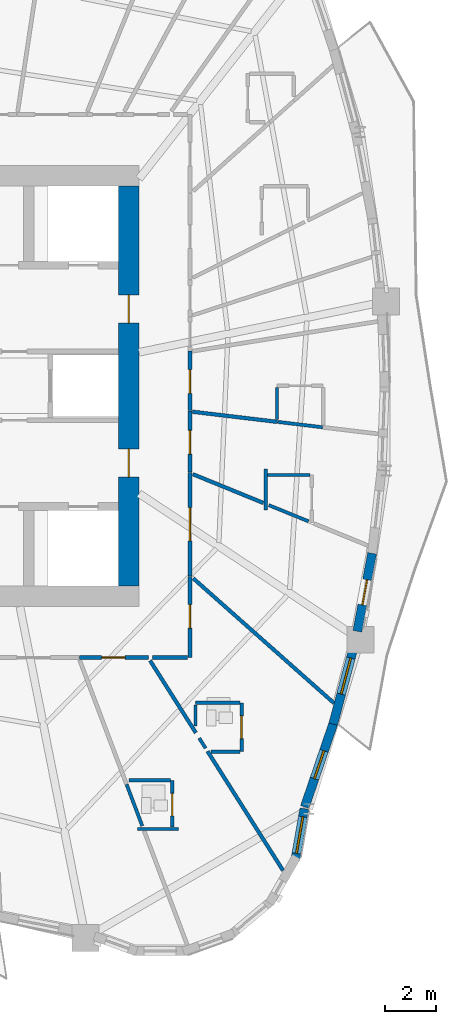
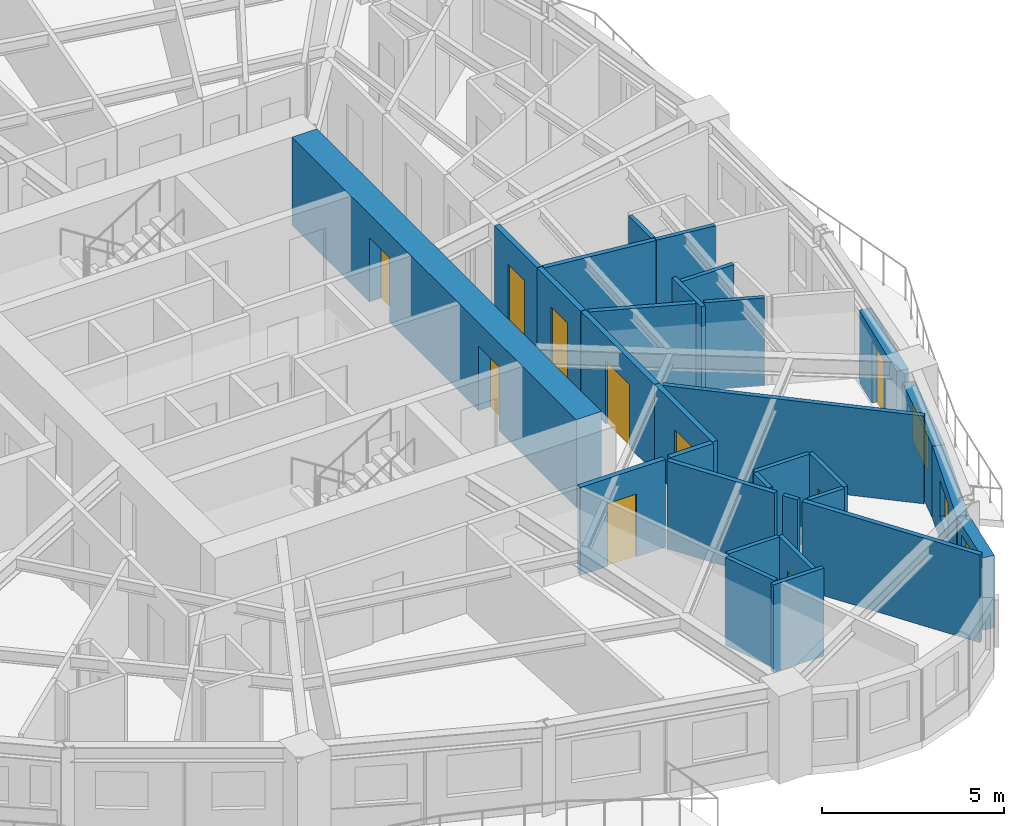
# One storey, part 6 of 14: 30 walls, 10 doors, 3 windows, 13 openings.
"""IFC4 building model written with IfcOpenShell, lengths in metres."""

import ifcopenshell
import ifcopenshell.guid

model = None  # the IFC model being written
_history = None  # IfcOwnerHistory: only IFC2X3 demands one
_inside = {}  # id of a spatial element -> (the spatial element, [elements in it])
_under = {}  # id of a project, library or spatial element -> (it, [spatial elements below it])
_declared = {}  # id of a project -> (the project, [libraries it declares])
_typed = {}  # id of a type object -> (the type object, [elements of that type])
_made_of = {}  # id of a material, layer set ... -> (it, [elements and type objects made of it])


def new_model(schema):
    """Start an empty IFC model of exactly this schema.

    Asked for "IFC4X3", IfcOpenShell would pick the latest addendum, in which some entities
    have other attributes; the version numbers below select the first issue.
    IFC2X3 requires an IfcOwnerHistory on every rooted entity: one is made here for all.
    """
    global model, _history
    if schema == "IFC4X3":
        model = ifcopenshell.file(schema_version=(4, 3, 0, 0))
    else:
        model = ifcopenshell.file(schema=schema)
    _inside.clear()
    _under.clear()
    _declared.clear()
    _typed.clear()
    _made_of.clear()
    _history = None
    if model.schema == "IFC2X3":
        org = make("IfcOrganization", Name="unknown")
        user = make(
            "IfcPersonAndOrganization",
            ThePerson=make("IfcPerson", FamilyName="unknown"),
            TheOrganization=org,
        )
        app = make(
            "IfcApplication",
            ApplicationDeveloper=org,
            Version="unknown",
            ApplicationFullName="unknown",
            ApplicationIdentifier="unknown",
        )
        _history = make(
            "IfcOwnerHistory",
            OwningUser=user,
            OwningApplication=app,
            ChangeAction="ADDED",
            CreationDate=0,
        )
    return model


def make(cls, **values):
    """One entity of the class cls with the attributes given. An attribute that is None is left unset."""
    return model.create_entity(
        cls, **{name: value for name, value in values.items() if value is not None}
    )


def rooted(cls, **values):
    """An entity with a GlobalId (a new one), such as an element, a storey or a relation."""
    return make(cls, GlobalId=ifcopenshell.guid.new(), OwnerHistory=_history, **values)


def si_unit(unit_type, name, prefix=None):
    """IfcSIUnit, for example si_unit("LENGTHUNIT", "METRE", prefix="MILLI")."""
    return make("IfcSIUnit", UnitType=unit_type, Prefix=prefix, Name=name)


def assignment(units):
    """IfcUnitAssignment: the units of a project."""
    return None if units is None else make("IfcUnitAssignment", Units=units)


def point(xyz):
    """IfcCartesianPoint."""
    return None if xyz is None else make("IfcCartesianPoint", Coordinates=xyz)


def direction(xyz):
    """IfcDirection."""
    return None if xyz is None else make("IfcDirection", DirectionRatios=xyz)


def frame(location, z_axis=None, x_axis=None):
    """IfcAxis2Placement3D, a coordinate frame: its origin and axes. An axis left out is left unset."""
    return make(
        "IfcAxis2Placement3D",
        Location=point(location),
        Axis=direction(z_axis),
        RefDirection=direction(x_axis),
    )


def frame_2d(location, x_axis=None):
    """IfcAxis2Placement2D, a coordinate frame in the plane: its origin and x axis."""
    return make(
        "IfcAxis2Placement2D", Location=point(location), RefDirection=direction(x_axis)
    )


def origin():
    """The frame at (0, 0, 0) with its axes left unset."""
    return frame((0.0, 0.0, 0.0))


def place(relative_to, where):
    """IfcLocalPlacement: puts the frame where relative to a parent placement (None: the world)."""
    return make(
        "IfcLocalPlacement", PlacementRelTo=relative_to, RelativePlacement=where
    )


def context(
    kind, dimensions, precision=None, world=None, true_north=None, identifier=None
):
    """IfcGeometricRepresentationContext, for example the 3D "Model" context."""
    return make(
        "IfcGeometricRepresentationContext",
        ContextIdentifier=identifier,
        ContextType=kind,
        CoordinateSpaceDimension=dimensions,
        Precision=precision,
        WorldCoordinateSystem=world,
        TrueNorth=true_north,
    )


def subcontext(parent, identifier, kind, view, scale=None):
    """IfcGeometricRepresentationSubContext, for example "Body" below "Model"."""
    return make(
        "IfcGeometricRepresentationSubContext",
        ContextIdentifier=identifier,
        ContextType=kind,
        ParentContext=parent,
        TargetScale=scale,
        TargetView=view,
    )


def project(units=None, contexts=None):
    """IfcProject with its units and contexts."""
    return rooted(
        "IfcProject",
        Name="project",
        RepresentationContexts=contexts,
        UnitsInContext=assignment(units),
    )


def spatial(cls, under=None, at=None, **own):
    """A site, building, storey or space (cls), placed at a placement, below another one or the project."""
    s = rooted(cls, ObjectPlacement=at, **own)
    if under is not None:
        _under.setdefault(under.id(), (under, []))[1].append(s)
    return s


def profile(cls, at=None, kind="AREA", **sizes):
    """A parametric profile (cls). Its sizes go by their IFC names, for example OverallWidth=200.0."""
    return make(cls, ProfileType=kind, Position=at, **sizes)


def rectangle(**sizes):
    """IfcRectangleProfileDef."""
    return profile("IfcRectangleProfileDef", **sizes)


def extrude(swept, where, along, depth):
    """IfcExtrudedAreaSolid: the profile swept, set in the frame where, extruded along a direction by depth."""
    return make(
        "IfcExtrudedAreaSolid",
        SweptArea=swept,
        Position=where,
        ExtrudedDirection=direction(along),
        Depth=depth,
    )


def shape(context_of_items, identifier, shape_type, items):
    """IfcShapeRepresentation: the items that make up one representation, for example the "Body"."""
    return make(
        "IfcShapeRepresentation",
        ContextOfItems=context_of_items,
        RepresentationIdentifier=identifier,
        RepresentationType=shape_type,
        Items=items,
    )


def source(mapping_origin, context_of_items, identifier, shape_type, items):
    """IfcRepresentationMap: a shape defined once, which mapped items show again and again."""
    return make(
        "IfcRepresentationMap",
        MappingOrigin=mapping_origin,
        MappedRepresentation=shape(context_of_items, identifier, shape_type, items),
    )


def transform(
    local_origin,
    x_axis=None,
    y_axis=None,
    z_axis=None,
    scale=None,
    scale2=None,
    scale3=None,
    uniform=True,
):
    """IfcCartesianTransformationOperator3D, or its non-uniform kind. x_axis, y_axis, z_axis: its Axis1, 2, 3."""
    if uniform:
        return make(
            "IfcCartesianTransformationOperator3D",
            Axis1=direction(x_axis),
            Axis2=direction(y_axis),
            LocalOrigin=point(local_origin),
            Scale=scale,
            Axis3=direction(z_axis),
        )
    return make(
        "IfcCartesianTransformationOperator3DnonUniform",
        Axis1=direction(x_axis),
        Axis2=direction(y_axis),
        LocalOrigin=point(local_origin),
        Scale=scale,
        Axis3=direction(z_axis),
        Scale2=scale2,
        Scale3=scale3,
    )


def mapped(mapping_source, mapping_target):
    """IfcMappedItem: shows the shape of a source again, moved by a transform."""
    return make(
        "IfcMappedItem", MappingSource=mapping_source, MappingTarget=mapping_target
    )


def material(Name=None, Category=None):
    """IfcMaterial."""
    return make("IfcMaterial", Name=Name, Category=Category)


def layer(
    of_material, thickness, ventilated=None, Name=None, Category=None, Priority=None
):
    """IfcMaterialLayer: one layer of a wall or slab, of a material (None: an air gap)."""
    return make(
        "IfcMaterialLayer",
        Material=of_material,
        LayerThickness=thickness,
        IsVentilated=ventilated,
        Name=Name,
        Category=Category,
        Priority=Priority,
    )


def layer_set(layers, Name=None):
    """IfcMaterialLayerSet."""
    return make("IfcMaterialLayerSet", MaterialLayers=layers, LayerSetName=Name)


def made_of(thing, what):
    """Note that an element or type object is made of a material, layer set ...; save() writes the relation."""
    if what is not None:
        _made_of.setdefault(what.id(), (what, []))[1].append(thing)
    return thing


def type_object(cls, material=None, **own):
    """A type object (cls), such as IfcWallType, which elements share."""
    return made_of(rooted(cls, **own), material)


def element(
    cls,
    number,
    at=None,
    inside=None,
    cuts=None,
    type_object=None,
    material=None,
    context=None,
    identifier="Body",
    shape_type=None,
    held_by="IfcProductDefinitionShape",
    body=None,
    shapes=None,
    **own,
):
    """One element of the class cls, such as IfcWall. Its Tag is "e" and its number.

    at: its placement. inside: the storey or other place that contains it. cuts: it is an
    opening in that element (IfcRelVoidsElement). A single representation is given by context,
    identifier, shape_type and body (its items); several are given by shapes. held_by: the class
    of the entity that holds the representations. save() writes the other relations.
    """
    e = rooted(cls, Tag="e%d" % number, ObjectPlacement=at, **own)
    if body is not None:
        shapes = [shape(context, identifier, shape_type, body)]
    if shapes is not None:
        e.Representation = make(held_by, Representations=shapes)
    if inside is not None:
        _inside.setdefault(inside.id(), (inside, []))[1].append(e)
    if cuts is not None:
        rooted(
            "IfcRelVoidsElement", RelatingBuildingElement=cuts, RelatedOpeningElement=e
        )
    if type_object is not None:
        _typed.setdefault(type_object.id(), (type_object, []))[1].append(e)
    return made_of(e, material)


def fill(opening, filler):
    """IfcRelFillsElement: the door or window that sits in an opening."""
    return rooted(
        "IfcRelFillsElement",
        RelatingOpeningElement=opening,
        RelatedBuildingElement=filler,
    )


def aggregate(whole, parts):
    """IfcRelAggregates: a whole, such as a stair, and the parts it consists of."""
    return rooted("IfcRelAggregates", RelatingObject=whole, RelatedObjects=parts)


def save(model, path):
    """Write the relations noted so far, then the file.

    IfcRelAggregates (storeys below a building ...), IfcRelContainedInSpatialStructure (elements
    in a storey), IfcRelDefinesByType, IfcRelAssociatesMaterial and IfcRelDeclares: one each for
    every whole, place, type object, material and project.
    """
    for whole, parts in _under.values():
        aggregate(whole, parts)
    for where, things in _inside.values():
        rooted(
            "IfcRelContainedInSpatialStructure",
            RelatedElements=things,
            RelatingStructure=where,
        )
    for kind, things in _typed.values():
        rooted("IfcRelDefinesByType", RelatedObjects=things, RelatingType=kind)
    for what, things in _made_of.values():
        rooted("IfcRelAssociatesMaterial", RelatedObjects=things, RelatingMaterial=what)
    for by, libraries in _declared.values():
        rooted("IfcRelDeclares", RelatingContext=by, RelatedDefinitions=libraries)
    model.write(path)


model = new_model("IFC4")

# Units and contexts
model_context = context("Model", 3, precision=1e-05, world=origin(), true_north=direction((0.0, 1.0)))
body_context = subcontext(model_context, "Body", "Model", "MODEL_VIEW")
ifc_project = project(units=[si_unit("LENGTHUNIT", "METRE"), si_unit("AREAUNIT", "SQUARE_METRE"), si_unit("VOLUMEUNIT", "CUBIC_METRE"), si_unit("PLANEANGLEUNIT", "RADIAN"), si_unit("MASSUNIT", "GRAM", prefix="KILO")], contexts=[model_context])

# Site, building, storey
site_placement = place(None, origin())
site = spatial("IfcSite", under=ifc_project, at=site_placement, CompositionType="ELEMENT")
building_placement = place(site_placement, origin())
building = spatial("IfcBuilding", under=site, at=building_placement, Name="Qafzar Sky-Pleat Residences", CompositionType="ELEMENT")
storey_placement = place(building_placement, frame((0.0, 0.0, 43.0)))
storey = spatial("IfcBuildingStorey", under=building, at=storey_placement, Name="L12", CompositionType="ELEMENT", Elevation=43.0)

# Wall, opening, door
ifc_material_1 = material(Name="Acoustic gypsum plasterboard partition", Category="gypsum")
ifc_layer_1 = layer(ifc_material_1, 0.159912109375)
ifc_layer_set_1 = layer_set([ifc_layer_1], Name="Acoustic gypsum plasterboard partition")
wall_type_1 = type_object("IfcWallType", Name="PART-COR-160", PredefinedType="PARTITIONING", material=ifc_layer_set_1)
wall_1_placement = place(storey_placement, frame((38.679931640625, 22.623046875, 0.0), z_axis=(0.0, 0.0, 1.0), x_axis=(0.0, -1.0, 0.0)))
wall_1 = element("IfcWall", 1, at=wall_1_placement, inside=storey, type_object=wall_type_1, Name="L12 Partition Wall PART-L12-PW-003", PredefinedType="PARTITIONING", context=body_context, shape_type="SweptSolid", body=[
    extrude(rectangle(XDim=4.026123046875, YDim=0.159912109375, at=frame_2d((2.01318359375, 0.0))), origin(), (0.0, 0.0, 1.0), 2.93994140625),
])
opening_1_placement = place(wall_1_placement, frame((1.361083984375, 0.0, 0.0)))
opening_1 = element("IfcOpeningElement", 2, at=opening_1_placement, cuts=wall_1, Name="Opening ID-05", PredefinedType="OPENING", context=body_context, shape_type="SweptSolid", body=[
    extrude(rectangle(XDim=1.300048828125, YDim=2.10009765625, at=frame_2d((0.64990234375, 1.050048828125))), frame((0.0, 0.08984375, 0.0), z_axis=(0.0, -1.0, 0.0), x_axis=(1.0, 0.0, 0.0)), (0.0, 0.0, 1.0), 0.179931640625),
])
ifc_material_2 = material(Name="Timber-faced fire door", Category="wood")
door_type_1 = type_object("IfcDoorType", Name="DR-LNG-1300", OperationType="DOUBLE_DOOR_SINGLE_SWING", PredefinedType="DOOR", material=ifc_material_2)
shared_shape_1 = source(origin(), body_context, "Body", "SweptSolid", [
    extrude(rectangle(XDim=1.300048828125, YDim=2.10009765625, at=frame_2d((0.64990234375, 1.050048828125))), frame((0.0, 0.02490234375, 0.0), z_axis=(0.0, -1.0, 0.0), x_axis=(1.0, 0.0, 0.0)), (0.0, 0.0, 1.0), 0.050048828125),
])
door_1_placement = place(opening_1_placement, origin())
door_1 = element("IfcDoor", 3, at=door_1_placement, inside=storey, type_object=door_type_1, Name="L12 Communal Kitchen Door", OperationType="DOUBLE_DOOR_SINGLE_SWING", OverallHeight=2.10009765625, OverallWidth=1.300048828125, PredefinedType="DOOR", context=body_context, shape_type="MappedRepresentation", body=[
    mapped(shared_shape_1, transform((0.0, 0.0, 0.0), x_axis=(1.0, 0.0, 0.0), y_axis=(0.0, 1.0, 0.0), z_axis=(0.0, 0.0, 1.0), scale=1.0)),
])
fill(opening_1, door_1)

wall_2_placement = place(storey_placement, frame((38.679931640625, 18.58203125, 0.0), z_axis=(0.0, 0.0, 1.0), x_axis=(0.0, -1.0, 0.0)))
wall_2 = element("IfcWall", 4, at=wall_2_placement, inside=storey, type_object=wall_type_1, Name="L12 Partition Wall PART-L12-PW-010", PredefinedType="PARTITIONING", context=body_context, shape_type="SweptSolid", body=[
    extrude(rectangle(XDim=3.162109375, YDim=0.159912109375, at=frame_2d((1.5810546875, 0.0))), origin(), (0.0, 0.0, 1.0), 2.93994140625),
])
opening_2_placement = place(wall_2_placement, frame((1.103515625, 0.0, 0.0)))
opening_2 = element("IfcOpeningElement", 5, at=opening_2_placement, cuts=wall_2, Name="Opening ID-04", PredefinedType="OPENING", context=body_context, shape_type="SweptSolid", body=[
    extrude(rectangle(XDim=0.919921875, YDim=2.10009765625, at=frame_2d((0.4599609375, 1.050048828125))), frame((0.0, 0.08984375, 0.0), z_axis=(0.0, -1.0, 0.0), x_axis=(1.0, 0.0, 0.0)), (0.0, 0.0, 1.0), 0.179931640625),
])
door_type_2 = type_object("IfcDoorType", Name="DR-BED-920", OperationType="NOTDEFINED", PredefinedType="DOOR", material=ifc_material_2)
shared_shape_2 = source(origin(), body_context, "Body", "SweptSolid", [
    extrude(rectangle(XDim=0.919921875, YDim=2.10009765625, at=frame_2d((0.4599609375, 1.050048828125))), frame((0.0, 0.02490234375, 0.0), z_axis=(0.0, -1.0, 0.0), x_axis=(1.0, 0.0, 0.0)), (0.0, 0.0, 1.0), 0.050048828125),
])
door_2_placement = place(opening_2_placement, origin())
door_2 = element("IfcDoor", 6, at=door_2_placement, inside=storey, type_object=door_type_2, Name="L12 Co-Living Bedroom 4 Door", OperationType="SINGLE_SWING_LEFT", OverallHeight=2.10009765625, OverallWidth=0.919921875, PredefinedType="DOOR", context=body_context, shape_type="MappedRepresentation", body=[
    mapped(shared_shape_2, transform((0.0, 0.0, 0.0), x_axis=(1.0, 0.0, 0.0), y_axis=(0.0, 1.0, 0.0), z_axis=(0.0, 0.0, 1.0), scale=1.0)),
])
fill(opening_2, door_2)

wall_3_placement = place(storey_placement, frame((37.069091796875, 15.419921875, 0.0), z_axis=(0.0, 0.0, 1.0), x_axis=(-1.0, 0.0, 0.0)))
wall_3 = element("IfcWall", 7, at=wall_3_placement, inside=storey, type_object=wall_type_1, Name="L12 Partition Wall PART-L12-PW-014", PredefinedType="PARTITIONING", context=body_context, shape_type="SweptSolid", body=[
    extrude(rectangle(XDim=2.693115234375, YDim=0.159912109375, at=frame_2d((1.3466796875, 0.0))), origin(), (0.0, 0.0, 1.0), 2.93994140625),
])
opening_3_placement = place(wall_3_placement, frame((0.910888671875, 0.0, 0.0)))
opening_3 = element("IfcOpeningElement", 8, at=opening_3_placement, cuts=wall_3, Name="Opening ID-04", PredefinedType="OPENING", context=body_context, shape_type="SweptSolid", body=[
    extrude(rectangle(XDim=0.919921875, YDim=2.10009765625, at=frame_2d((0.4599609375, 1.050048828125))), frame((0.0, 0.08984375, 0.0), z_axis=(0.0, -1.0, 0.0), x_axis=(1.0, 0.0, 0.0)), (0.0, 0.0, 1.0), 0.179931640625),
])
door_3_placement = place(opening_3_placement, origin())
door_3 = element("IfcDoor", 9, at=door_3_placement, inside=storey, type_object=door_type_2, Name="L12 Co-Living Bedroom 3 Door", OperationType="SINGLE_SWING_RIGHT", OverallHeight=2.10009765625, OverallWidth=0.919921875, PredefinedType="DOOR", context=body_context, shape_type="MappedRepresentation", body=[
    mapped(shared_shape_2, transform((0.0, 0.0, 0.0), x_axis=(1.0, 0.0, 0.0), y_axis=(0.0, 1.0, 0.0), z_axis=(0.0, 0.0, 1.0), scale=1.0)),
])
fill(opening_3, door_3)

wall_4_placement = place(storey_placement, frame((38.679931640625, 25.02099609375, 0.0), z_axis=(0.0, 0.0, 1.0), x_axis=(0.0, -1.0, 0.0)))
wall_4 = element("IfcWall", 10, at=wall_4_placement, inside=storey, type_object=wall_type_1, Name="L12 Partition Wall PART-L12-PW-016", PredefinedType="PARTITIONING", context=body_context, shape_type="SweptSolid", body=[
    extrude(rectangle(XDim=2.383056640625, YDim=0.159912109375, at=frame_2d((1.19140625, 0.0))), origin(), (0.0, 0.0, 1.0), 2.93994140625),
])
opening_4_placement = place(wall_4_placement, frame((0.75439453125, 0.0, 0.0)))
opening_4 = element("IfcOpeningElement", 11, at=opening_4_placement, cuts=wall_4, Name="Opening ID-04", PredefinedType="OPENING", context=body_context, shape_type="SweptSolid", body=[
    extrude(rectangle(XDim=0.919921875, YDim=2.10009765625, at=frame_2d((0.4599609375, 1.050048828125))), frame((0.0, 0.08984375, 0.0), z_axis=(0.0, -1.0, 0.0), x_axis=(1.0, 0.0, 0.0)), (0.0, 0.0, 1.0), 0.179931640625),
])
door_4_placement = place(opening_4_placement, origin())
door_4 = element("IfcDoor", 12, at=door_4_placement, inside=storey, type_object=door_type_2, Name="L12 Co-Living Bedroom 5 Door", OperationType="SINGLE_SWING_RIGHT", OverallHeight=2.10009765625, OverallWidth=0.919921875, PredefinedType="DOOR", context=body_context, shape_type="MappedRepresentation", body=[
    mapped(shared_shape_2, transform((0.0, 0.0, 0.0), x_axis=(1.0, 0.0, 0.0), y_axis=(0.0, 1.0, 0.0), z_axis=(0.0, 0.0, 1.0), scale=1.0)),
])
fill(opening_4, door_4)

wall_5_placement = place(storey_placement, frame((38.679931640625, 27.35302734375, 0.0), z_axis=(0.0, 0.0, 1.0), x_axis=(0.0, -1.0, 0.0)))
wall_5 = element("IfcWall", 13, at=wall_5_placement, inside=storey, type_object=wall_type_1, Name="L12 Partition Wall PART-L12-PW-017", PredefinedType="PARTITIONING", context=body_context, shape_type="SweptSolid", body=[
    extrude(rectangle(XDim=2.317138671875, YDim=0.159912109375, at=frame_2d((1.15869140625, 0.0))), origin(), (0.0, 0.0, 1.0), 2.93994140625),
])
opening_5_placement = place(wall_5_placement, frame((0.721435546875, 0.0, 0.0)))
opening_5 = element("IfcOpeningElement", 14, at=opening_5_placement, cuts=wall_5, Name="Opening ID-04", PredefinedType="OPENING", context=body_context, shape_type="SweptSolid", body=[
    extrude(rectangle(XDim=0.919921875, YDim=2.10009765625, at=frame_2d((0.4599609375, 1.050048828125))), frame((0.0, 0.08984375, 0.0), z_axis=(0.0, -1.0, 0.0), x_axis=(1.0, 0.0, 0.0)), (0.0, 0.0, 1.0), 0.179931640625),
])
door_5_placement = place(opening_5_placement, origin())
door_5 = element("IfcDoor", 15, at=door_5_placement, inside=storey, type_object=door_type_2, Name="L12 Co-Living Bedroom 6 Door", OperationType="SINGLE_SWING_LEFT", OverallHeight=2.10009765625, OverallWidth=0.919921875, PredefinedType="DOOR", context=body_context, shape_type="MappedRepresentation", body=[
    mapped(shared_shape_2, transform((0.0, 0.0, 0.0), x_axis=(1.0, 0.0, 0.0), y_axis=(0.0, 1.0, 0.0), z_axis=(0.0, 0.0, 1.0), scale=1.0)),
])
fill(opening_5, door_5)

# Walls
wall_6_placement = place(storey_placement, frame((37.228515625, 15.419921875, 0.0), z_axis=(0.0, 0.0, 1.0), x_axis=(1.0, 0.0, 0.0)))
element("IfcWall", 16, at=wall_6_placement, inside=storey, type_object=wall_type_1, Name="L12 Partition Wall PART-L12-PW-087", PredefinedType="PARTITIONING", context=body_context, shape_type="SweptSolid", body=[
    extrude(rectangle(XDim=1.363525390625, YDim=0.159912109375, at=frame_2d((0.681640625, 0.0))), origin(), (0.0, 0.0, 1.0), 2.93994140625),
])
ifc_layer_2 = layer(ifc_material_1, 0.14501953125)
ifc_layer_set_2 = layer_set([ifc_layer_2], Name="Acoustic gypsum plasterboard partition")
wall_type_2 = type_object("IfcWallType", Name="PART-UNIT-145", PredefinedType="PARTITIONING", material=ifc_layer_set_2)
wall_7_placement = place(storey_placement, frame((38.814208984375, 18.498291015625, 0.0), z_axis=(0.0, 0.0, 1.0), x_axis=(0.748346939228, -0.663307514316, 0.0)))
element("IfcWall", 17, at=wall_7_placement, inside=storey, type_object=wall_type_2, Name="L12 Partition Wall PART-L12-PW-046", PredefinedType="PARTITIONING", context=body_context, shape_type="SweptSolid", body=[
    extrude(rectangle(XDim=7.32080078125, YDim=0.14501953125, at=frame_2d((3.660400390625, 0.0))), origin(), (0.0, 0.0, 1.0), 2.93994140625),
])
wall_8_placement = place(storey_placement, frame((39.367919921875, 11.762939453125, 0.0), z_axis=(0.0, 0.0, 1.0), x_axis=(0.535087981742, -0.844796337465, 0.0)))
element("IfcWall", 18, at=wall_8_placement, inside=storey, type_object=wall_type_2, Name="L12 Partition Wall PART-L12-PW-049", PredefinedType="PARTITIONING", context=body_context, shape_type="SweptSolid", body=[
    extrude(rectangle(XDim=5.500732421875, YDim=0.14501953125, at=frame_2d((2.75048828125, 0.0))), origin(), (0.0, 0.0, 1.0), 2.93994140625),
])
wall_9_placement = place(storey_placement, frame((37.130615234375, 15.29443359375, 0.0), z_axis=(0.0, 0.0, 1.0), x_axis=(0.535237043706, -0.844701904251, 0.0)))
element("IfcWall", 19, at=wall_9_placement, inside=storey, type_object=wall_type_2, Name="L12 Partition Wall PART-L12-PW-056", PredefinedType="PARTITIONING", context=body_context, shape_type="SweptSolid", body=[
    extrude(rectangle(XDim=3.328369140625, YDim=0.14501953125, at=frame_2d((1.6640625, 0.0))), origin(), (0.0, 0.0, 1.0), 2.93994140625),
])
wall_10_placement = place(storey_placement, frame((38.776611328125, 24.994384765625, 0.0), z_axis=(0.0, 0.0, 1.0), x_axis=(0.992964132073, -0.1184155075, 0.0)))
element("IfcWall", 20, at=wall_10_placement, inside=storey, type_object=wall_type_2, Name="L12 Partition Wall PART-L12-PW-057", PredefinedType="PARTITIONING", context=body_context, shape_type="SweptSolid", body=[
    extrude(rectangle(XDim=3.337890625, YDim=0.14501953125, at=frame_2d((1.6689453125, 0.0))), origin(), (0.0, 0.0, 1.0), 2.93994140625),
])
wall_11_placement = place(storey_placement, frame((38.794921875, 22.560302734375, 0.0), z_axis=(0.0, 0.0, 1.0), x_axis=(0.926055147025, -0.377388214799, 0.0)))
element("IfcWall", 21, at=wall_11_placement, inside=storey, type_object=wall_type_2, Name="L12 Partition Wall PART-L12-PW-060", PredefinedType="PARTITIONING", context=body_context, shape_type="SweptSolid", body=[
    extrude(rectangle(XDim=2.971923828125, YDim=0.14501953125, at=frame_2d((1.48583984375, 0.0))), origin(), (0.0, 0.0, 1.0), 2.93994140625),
])

# Wall, opening, door
ifc_material_3 = material(Name="Moisture-resistant gypsum partition", Category="gypsum")
ifc_layer_3 = layer(ifc_material_3, 0.1298828125)
ifc_layer_set_3 = layer_set([ifc_layer_3], Name="Moisture-resistant gypsum partition")
wall_type_3 = type_object("IfcWallType", Name="PART-WET-130", PredefinedType="PARTITIONING", material=ifc_layer_set_3)
wall_12_placement = place(storey_placement, frame((37.992919921875, 8.802978515625, 0.0), z_axis=(0.0, 0.0, 1.0), x_axis=(0.0, 1.0, 0.0)))
wall_12 = element("IfcWall", 22, at=wall_12_placement, inside=storey, type_object=wall_type_3, Name="L12 Partition Wall PART-L12-PW-022", PredefinedType="PARTITIONING", context=body_context, shape_type="SweptSolid", body=[
    extrude(rectangle(XDim=1.826904296875, YDim=0.1298828125, at=frame_2d((0.91357421875, 0.0))), origin(), (0.0, 0.0, 1.0), 2.93994140625),
])
opening_6_placement = place(wall_12_placement, frame((0.43701171875, 0.0, 0.0)))
opening_6 = element("IfcOpeningElement", 23, at=opening_6_placement, cuts=wall_12, Name="Opening ID-07", PredefinedType="OPENING", context=body_context, shape_type="SweptSolid", body=[
    extrude(rectangle(XDim=0.8798828125, YDim=2.050048828125, at=frame_2d((0.43994140625, 1.02490234375))), frame((0.0, 0.074951171875, 0.0), z_axis=(0.0, -1.0, 0.0), x_axis=(1.0, 0.0, 0.0)), (0.0, 0.0, 1.0), 0.14990234375),
])
door_type_3 = type_object("IfcDoorType", Name="DR-WET-880", OperationType="NOTDEFINED", PredefinedType="DOOR", material=ifc_material_2)
shared_shape_3 = source(origin(), body_context, "Body", "SweptSolid", [
    extrude(rectangle(XDim=0.8798828125, YDim=2.050048828125, at=frame_2d((0.43994140625, 1.02490234375))), frame((0.0, 0.02490234375, 0.0), z_axis=(0.0, -1.0, 0.0), x_axis=(1.0, 0.0, 0.0)), (0.0, 0.0, 1.0), 0.050048828125),
])
door_6_placement = place(opening_6_placement, origin())
door_6 = element("IfcDoor", 24, at=door_6_placement, inside=storey, type_object=door_type_3, Name="L12 En-suite Bathroom 3 Door", OperationType="SINGLE_SWING_RIGHT", OverallHeight=2.050048828125, OverallWidth=0.8798828125, PredefinedType="DOOR", context=body_context, shape_type="MappedRepresentation", body=[
    mapped(shared_shape_3, transform((0.0, 0.0, 0.0), x_axis=(1.0, 0.0, 0.0), y_axis=(0.0, 1.0, 0.0), z_axis=(0.0, 0.0, 1.0), scale=1.0)),
])
fill(opening_6, door_6)

wall_13_placement = place(storey_placement, frame((40.697021484375, 11.748046875, 0.0), z_axis=(0.0, 0.0, 1.0), x_axis=(0.0, 1.0, 0.0)))
wall_13 = element("IfcWall", 25, at=wall_13_placement, inside=storey, type_object=wall_type_3, Name="L12 Partition Wall PART-L12-PW-023", PredefinedType="PARTITIONING", context=body_context, shape_type="SweptSolid", body=[
    extrude(rectangle(XDim=1.89990234375, YDim=0.1298828125, at=frame_2d((0.949951171875, 0.0))), origin(), (0.0, 0.0, 1.0), 2.93994140625),
])
opening_7_placement = place(wall_13_placement, frame((0.510009765625, 0.0, 0.0)))
opening_7 = element("IfcOpeningElement", 26, at=opening_7_placement, cuts=wall_13, Name="Opening ID-07", PredefinedType="OPENING", context=body_context, shape_type="SweptSolid", body=[
    extrude(rectangle(XDim=0.8798828125, YDim=2.050048828125, at=frame_2d((0.43994140625, 1.02490234375))), frame((0.0, 0.074951171875, 0.0), z_axis=(0.0, -1.0, 0.0), x_axis=(1.0, 0.0, 0.0)), (0.0, 0.0, 1.0), 0.14990234375),
])
door_7_placement = place(opening_7_placement, origin())
door_7 = element("IfcDoor", 27, at=door_7_placement, inside=storey, type_object=door_type_3, Name="L12 En-suite Bathroom 4 Door", OperationType="SINGLE_SWING_LEFT", OverallHeight=2.050048828125, OverallWidth=0.8798828125, PredefinedType="DOOR", context=body_context, shape_type="MappedRepresentation", body=[
    mapped(shared_shape_3, transform((0.0, 0.0, 0.0), x_axis=(1.0, 0.0, 0.0), y_axis=(0.0, 1.0, 0.0), z_axis=(0.0, 0.0, 1.0), scale=1.0)),
])
fill(opening_7, door_7)

# Walls
wall_14_placement = place(storey_placement, frame((41.7578125, 21.352783203125, 0.0), z_axis=(0.0, 0.0, 1.0), x_axis=(0.926203809775, -0.377023212492, 0.0)))
element("IfcWall", 28, at=wall_14_placement, inside=storey, type_object=wall_type_3, Name="L12 Partition Wall PART-L12-PW-070", PredefinedType="PARTITIONING", context=body_context, shape_type="SweptSolid", body=[
    extrude(rectangle(XDim=1.671875, YDim=0.1298828125, at=frame_2d((0.8359375, 0.0))), origin(), (0.0, 0.0, 1.0), 2.93994140625),
])
wall_15_placement = place(storey_placement, frame((36.21337890625, 10.472900390625, 0.0), z_axis=(0.0, 0.0, 1.0), x_axis=(0.353194751426, -0.935549820996, 0.0)))
element("IfcWall", 29, at=wall_15_placement, inside=storey, type_object=wall_type_3, Name="L12 Partition Wall PART-L12-PW-072", PredefinedType="PARTITIONING", context=body_context, shape_type="SweptSolid", body=[
    extrude(rectangle(XDim=1.730224609375, YDim=0.1298828125, at=frame_2d((0.865234375, 0.0))), origin(), (0.0, 0.0, 1.0), 2.93994140625),
])
wall_16_placement = place(storey_placement, frame((36.302978515625, 10.6298828125, 0.0), z_axis=(0.0, 0.0, 1.0), x_axis=(1.0, 0.0, 0.0)))
element("IfcWall", 30, at=wall_16_placement, inside=storey, type_object=wall_type_3, Name="L12 Partition Wall PART-L12-PW-073", PredefinedType="PARTITIONING", context=body_context, shape_type="SweptSolid", body=[
    extrude(rectangle(XDim=1.616943359375, YDim=0.1298828125, at=frame_2d((0.80859375, 0.0))), origin(), (0.0, 0.0, 1.0), 2.93994140625),
])
wall_17_placement = place(storey_placement, frame((38.89697265625, 13.64794921875, 0.0), z_axis=(0.0, 0.0, 1.0), x_axis=(1.0, 0.0, 0.0)))
element("IfcWall", 31, at=wall_17_placement, inside=storey, type_object=wall_type_3, Name="L12 Partition Wall PART-L12-PW-074", PredefinedType="PARTITIONING", context=body_context, shape_type="SweptSolid", body=[
    extrude(rectangle(XDim=1.72705078125, YDim=0.1298828125, at=frame_2d((0.863525390625, 0.0))), origin(), (0.0, 0.0, 1.0), 2.93994140625),
])
wall_18_placement = place(storey_placement, frame((41.705078125, 22.530029296875, 0.0), z_axis=(0.0, 0.0, 1.0), x_axis=(1.0, 0.0, 0.0)))
element("IfcWall", 32, at=wall_18_placement, inside=storey, type_object=wall_type_3, Name="L12 Partition Wall PART-L12-PW-075", PredefinedType="PARTITIONING", context=body_context, shape_type="SweptSolid", body=[
    extrude(rectangle(XDim=1.65380859375, YDim=0.1298828125, at=frame_2d((0.826904296875, 0.0))), origin(), (0.0, 0.0, 1.0), 2.93994140625),
])
wall_19_placement = place(storey_placement, frame((42.10595703125, 24.59765625, 0.0), z_axis=(0.0, 0.0, 1.0), x_axis=(0.992915674768, -0.118821137848, 0.0)))
element("IfcWall", 33, at=wall_19_placement, inside=storey, type_object=wall_type_3, Name="L12 Partition Wall PART-L12-PW-082", PredefinedType="PARTITIONING", context=body_context, shape_type="SweptSolid", body=[
    extrude(rectangle(XDim=1.752685546875, YDim=0.1298828125, at=frame_2d((0.87646484375, 0.0))), origin(), (0.0, 0.0, 1.0), 2.93994140625),
])
wall_20_placement = place(storey_placement, frame((42.075927734375, 24.689697265625, 0.0), z_axis=(0.0, 0.0, 1.0), x_axis=(0.0, 1.0, 0.0)))
element("IfcWall", 34, at=wall_20_placement, inside=storey, type_object=wall_type_3, Name="L12 Partition Wall PART-L12-PW-090", PredefinedType="PARTITIONING", context=body_context, shape_type="SweptSolid", body=[
    extrude(rectangle(XDim=1.245361328125, YDim=0.1298828125, at=frame_2d((0.62255859375, 0.0))), origin(), (0.0, 0.0, 1.0), 2.93994140625),
])
wall_21_placement = place(storey_placement, frame((39.511962890625, 11.748046875, 0.0), z_axis=(0.0, 0.0, 1.0), x_axis=(1.0, 0.0, 0.0)))
element("IfcWall", 35, at=wall_21_placement, inside=storey, type_object=wall_type_3, Name="L12 Partition Wall PART-L12-PW-093", PredefinedType="PARTITIONING", context=body_context, shape_type="SweptSolid", body=[
    extrude(rectangle(XDim=1.112060546875, YDim=0.1298828125, at=frame_2d((0.55615234375, 0.0))), origin(), (0.0, 0.0, 1.0), 2.93994140625),
])
wall_22_placement = place(storey_placement, frame((38.89697265625, 12.74609375, 0.0), z_axis=(0.0, 0.0, 1.0), x_axis=(0.0, 1.0, 0.0)))
element("IfcWall", 36, at=wall_22_placement, inside=storey, type_object=wall_type_3, Name="L12 Partition Wall PART-L12-PW-098", PredefinedType="PARTITIONING", context=body_context, shape_type="SweptSolid", body=[
    extrude(rectangle(XDim=0.828857421875, YDim=0.1298828125, at=frame_2d((0.41455078125, 0.0))), origin(), (0.0, 0.0, 1.0), 2.93994140625),
])
wall_23_placement = place(storey_placement, frame((41.632080078125, 21.1640625, 0.0), z_axis=(0.0, 0.0, 1.0), x_axis=(0.0, 1.0, 0.0)))
element("IfcWall", 37, at=wall_23_placement, inside=storey, type_object=wall_type_3, Name="L12 Partition Wall PART-L12-PW-099", PredefinedType="PARTITIONING", context=body_context, shape_type="SweptSolid", body=[
    extrude(rectangle(XDim=1.60595703125, YDim=0.1298828125, at=frame_2d((0.802978515625, 0.0))), origin(), (0.0, 0.0, 1.0), 2.93994140625),
])
wall_24_placement = place(storey_placement, frame((36.632080078125, 8.72998046875, 0.0), z_axis=(0.0, 0.0, 1.0), x_axis=(1.0, 0.0, 0.0)))
element("IfcWall", 38, at=wall_24_placement, inside=storey, type_object=wall_type_3, Name="L12 Partition Wall PART-L12-PW-100", PredefinedType="PARTITIONING", context=body_context, shape_type="SweptSolid", body=[
    extrude(rectangle(XDim=1.600830078125, YDim=0.1298828125, at=frame_2d((0.80029296875, 0.0))), origin(), (0.0, 0.0, 1.0), 2.93994140625),
])
wall_25_placement = place(storey_placement, frame((39.044189453125, 12.274169921875, 0.0), z_axis=(0.0, 0.0, 1.0), x_axis=(0.535002019117, -0.844850779452, 0.0)))
element("IfcWall", 39, at=wall_25_placement, inside=storey, type_object=wall_type_3, Name="L12 Partition Wall PART-L12-PW-104", PredefinedType="PARTITIONING", context=body_context, shape_type="SweptSolid", body=[
    extrude(rectangle(XDim=0.464111328125, YDim=0.1298828125, at=frame_2d((0.23193359375, 0.0))), origin(), (0.0, 0.0, 1.0), 2.93994140625),
])

# Wall, opening, window
ifc_material_4 = material(Name="Precast concrete C40/50 with honed Riyadh limestone", Category="concrete")
ifc_layer_4 = layer(ifc_material_4, 0.35009765625)
ifc_layer_set_4 = layer_set([ifc_layer_4], Name="Precast concrete C40/50 with honed Riyadh limestone")
wall_type_4 = type_object("IfcWallType", Name="WALL-EXT-350", PredefinedType="SOLIDWALL", material=ifc_layer_set_4)
wall_26_placement = place(storey_placement, frame((42.788818359375, 7.5244140625, 0.0), z_axis=(0.0, 0.0, 1.0), x_axis=(0.173586593252, 0.984818610021, 0.0)))
wall_26 = element("IfcWall", 40, at=wall_26_placement, inside=storey, type_object=wall_type_4, Name="L12 Limestone Facade Wall 22", PredefinedType="SOLIDWALL", context=body_context, shape_type="SweptSolid", body=[
    extrude(rectangle(XDim=2.0322265625, YDim=0.35009765625, at=frame_2d((1.01611328125, 0.0))), origin(), (0.0, 0.0, 1.0), 2.419921875),
])
opening_8_placement = place(wall_26_placement, frame((0.26123046875, 0.0, 0.820068359375)))
opening_8 = element("IfcOpeningElement", 41, at=opening_8_placement, cuts=wall_26, Name="Opening WN-15", PredefinedType="OPENING", context=body_context, shape_type="SweptSolid", body=[
    extrude(rectangle(XDim=1.449951171875, YDim=1.25, at=frame_2d((0.72509765625, 0.625))), frame((0.0, 0.18505859375, 0.0), z_axis=(0.0, -1.0, 0.0), x_axis=(1.0, 0.0, 0.0)), (0.0, 0.0, 1.0), 0.3701171875),
])
ifc_material_5 = material(Name="Solar-control low-E glass in bronze aluminium frame", Category="glass")
window_type_1 = type_object("IfcWindowType", Name="WIN-15", PartitioningType="SINGLE_PANEL", PredefinedType="WINDOW", material=ifc_material_5)
shared_shape_4 = source(origin(), body_context, "Body", "SweptSolid", [
    extrude(rectangle(XDim=1.449951171875, YDim=1.25, at=frame_2d((0.72509765625, 0.625))), frame((0.0, 0.030029296875, 0.0), z_axis=(0.0, -1.0, 0.0), x_axis=(1.0, 0.0, 0.0)), (0.0, 0.0, 1.0), 0.06005859375),
])
window_1_placement = place(opening_8_placement, origin())
window_1 = element("IfcWindow", 42, at=window_1_placement, inside=storey, type_object=window_type_1, Name="L12 Punched Facade Window 22", OverallHeight=1.25, OverallWidth=1.449951171875, PartitioningType="SINGLE_PANEL", PredefinedType="WINDOW", context=body_context, shape_type="MappedRepresentation", body=[
    mapped(shared_shape_4, transform((0.0, 0.0, 0.0), x_axis=(1.0, 0.0, 0.0), y_axis=(0.0, 1.0, 0.0), z_axis=(0.0, 0.0, 1.0), scale=1.0)),
])
fill(opening_8, window_1)

wall_27_placement = place(storey_placement, frame((43.158447265625, 9.5908203125, 0.0), z_axis=(0.0, 0.0, 1.0), x_axis=(0.323579292047, 0.946201057788, 0.0)))
wall_27 = element("IfcWall", 43, at=wall_27_placement, inside=storey, type_object=wall_type_4, Name="L12 Limestone Facade Wall 23", PredefinedType="SOLIDWALL", context=body_context, shape_type="SweptSolid", body=[
    extrude(rectangle(XDim=3.50244140625, YDim=0.35009765625, at=frame_2d((1.751220703125, 0.0))), origin(), (0.0, 0.0, 1.0), 2.419921875),
])
opening_9_placement = place(wall_27_placement, frame((1.166259765625, 0.0, 0.820068359375)))
opening_9 = element("IfcOpeningElement", 44, at=opening_9_placement, cuts=wall_27, Name="Opening WN-16", PredefinedType="OPENING", context=body_context, shape_type="SweptSolid", body=[
    extrude(rectangle(XDim=1.14990234375, YDim=1.199951171875, at=frame_2d((0.574951171875, 0.60009765625))), frame((0.0, 0.18505859375, 0.0), z_axis=(0.0, -1.0, 0.0), x_axis=(1.0, 0.0, 0.0)), (0.0, 0.0, 1.0), 0.3701171875),
])
window_type_2 = type_object("IfcWindowType", Name="WIN-16", PartitioningType="SINGLE_PANEL", PredefinedType="WINDOW", material=ifc_material_5)
shared_shape_5 = source(origin(), body_context, "Body", "SweptSolid", [
    extrude(rectangle(XDim=1.14990234375, YDim=1.199951171875, at=frame_2d((0.574951171875, 0.60009765625))), frame((0.0, 0.030029296875, 0.0), z_axis=(0.0, -1.0, 0.0), x_axis=(1.0, 0.0, 0.0)), (0.0, 0.0, 1.0), 0.06005859375),
])
window_2_placement = place(opening_9_placement, origin())
window_2 = element("IfcWindow", 45, at=window_2_placement, inside=storey, type_object=window_type_2, Name="L12 Punched Facade Window 23", OverallHeight=1.199951171875, OverallWidth=1.14990234375, PartitioningType="SINGLE_PANEL", PredefinedType="WINDOW", context=body_context, shape_type="MappedRepresentation", body=[
    mapped(shared_shape_5, transform((0.0, 0.0, 0.0), x_axis=(1.0, 0.0, 0.0), y_axis=(0.0, 1.0, 0.0), z_axis=(0.0, 0.0, 1.0), scale=1.0)),
])
fill(opening_9, window_2)

wall_28_placement = place(storey_placement, frame((44.26611328125, 12.820556640625, 0.0), z_axis=(0.0, 0.0, 1.0), x_axis=(0.257117431061, 0.966380166728, 0.0)))
wall_28 = element("IfcWall", 46, at=wall_28_placement, inside=storey, type_object=wall_type_4, Name="L12 Limestone Facade Wall 24", PredefinedType="SOLIDWALL", context=body_context, shape_type="SweptSolid", body=[
    extrude(rectangle(XDim=3.149658203125, YDim=0.35009765625, at=frame_2d((1.57470703125, 0.0))), origin(), (0.0, 0.0, 1.0), 2.419921875),
])
opening_10_placement = place(wall_28_placement, frame((1.210205078125, 0.0, 0.820068359375)))
opening_10 = element("IfcOpeningElement", 47, at=opening_10_placement, cuts=wall_28, Name="Opening WN-15", PredefinedType="OPENING", context=body_context, shape_type="SweptSolid", body=[
    extrude(rectangle(XDim=1.449951171875, YDim=1.25, at=frame_2d((0.72509765625, 0.625))), frame((0.0, 0.18505859375, 0.0), z_axis=(0.0, -1.0, 0.0), x_axis=(1.0, 0.0, 0.0)), (0.0, 0.0, 1.0), 0.3701171875),
])
window_3_placement = place(opening_10_placement, origin())
window_3 = element("IfcWindow", 48, at=window_3_placement, inside=storey, type_object=window_type_1, Name="L12 Punched Facade Window 24-2", OverallHeight=1.25, OverallWidth=1.449951171875, PartitioningType="SINGLE_PANEL", PredefinedType="WINDOW", context=body_context, shape_type="MappedRepresentation", body=[
    mapped(shared_shape_4, transform((0.0, 0.0, 0.0), x_axis=(1.0, 0.0, 0.0), y_axis=(0.0, 1.0, 0.0), z_axis=(0.0, 0.0, 1.0), scale=1.0)),
])
fill(opening_10, window_3)

# Wall, opening, door
wall_29_placement = place(storey_placement, frame((45.206298828125, 16.4365234375, 0.0), z_axis=(0.0, 0.0, 1.0), x_axis=(0.186622565297, 0.982431686237, 0.0)))
wall_29 = element("IfcWall", 49, at=wall_29_placement, inside=storey, type_object=wall_type_4, Name="L12 Limestone Facade Wall 25", PredefinedType="SOLIDWALL", context=body_context, shape_type="SweptSolid", body=[
    extrude(rectangle(XDim=3.093994140625, YDim=0.35009765625, at=frame_2d((1.546875, 0.0))), origin(), (0.0, 0.0, 1.0), 2.419921875),
])
opening_11_placement = place(wall_29_placement, frame((1.047119140625, 0.0, 0.0)))
opening_11 = element("IfcOpeningElement", 50, at=opening_11_placement, cuts=wall_29, Name="Opening ED-05", PredefinedType="OPENING", context=body_context, shape_type="SweptSolid", body=[
    extrude(rectangle(XDim=1.0, YDim=2.10009765625, at=frame_2d((0.5, 1.050048828125))), frame((0.0, 0.18505859375, 0.0), z_axis=(0.0, -1.0, 0.0), x_axis=(1.0, 0.0, 0.0)), (0.0, 0.0, 1.0), 0.3701171875),
])
ifc_material_6 = material(Name="Glazed bronze aluminium door", Category="aluminium")
door_type_4 = type_object("IfcDoorType", Name="DR-BAL-1000", OperationType="NOTDEFINED", PredefinedType="DOOR", material=ifc_material_6)
shared_shape_6 = source(origin(), body_context, "Body", "SweptSolid", [
    extrude(rectangle(XDim=1.0, YDim=2.10009765625, at=frame_2d((0.5, 1.050048828125))), frame((0.0, 0.02490234375, 0.0), z_axis=(0.0, -1.0, 0.0), x_axis=(1.0, 0.0, 0.0)), (0.0, 0.0, 1.0), 0.050048828125),
])
door_8_placement = place(opening_11_placement, origin())
door_8 = element("IfcDoor", 51, at=door_8_placement, inside=storey, type_object=door_type_4, Name="L12 Glazed Balcony Door 1", OperationType="SINGLE_SWING_LEFT", OverallHeight=2.10009765625, OverallWidth=1.0, PredefinedType="DOOR", context=body_context, shape_type="MappedRepresentation", body=[
    mapped(shared_shape_6, transform((0.0, 0.0, 0.0), x_axis=(1.0, 0.0, 0.0), y_axis=(0.0, 1.0, 0.0), z_axis=(0.0, 0.0, 1.0), scale=1.0)),
])
fill(opening_11, door_8)

# Wall, openings, doors
ifc_material_7 = material(Name="Concrete C60/75", Category="concrete")
ifc_layer_5 = layer(ifc_material_7, 0.800048828125)
ifc_layer_set_5 = layer_set([ifc_layer_5], Name="Concrete C60/75")
wall_type_5 = type_object("IfcWallType", Name="WALL-SHEAR-800", PredefinedType="SHEAR", material=ifc_layer_set_5)
wall_30_placement = place(storey_placement, frame((36.300048828125, 18.199951171875, 0.0), z_axis=(0.0, 0.0, 1.0), x_axis=(0.0, 1.0, 0.0)))
wall_30 = element("IfcWall", 52, at=wall_30_placement, inside=storey, type_object=wall_type_5, Name="L12 CORE wall E", PredefinedType="SHEAR", context=body_context, shape_type="SweptSolid", body=[
    extrude(rectangle(XDim=15.60009765625, YDim=0.800048828125, at=frame_2d((7.800048828125, 0.0))), origin(), (0.0, 0.0, 1.0), 2.93994140625),
])
opening_12_placement = place(wall_30_placement, frame((4.25, 0.0, 0.0)))
opening_12 = element("IfcOpeningElement", 53, at=opening_12_placement, cuts=wall_30, Name="Opening ID-02", PredefinedType="OPENING", context=body_context, shape_type="SweptSolid", body=[
    extrude(rectangle(XDim=1.10009765625, YDim=2.14990234375, at=frame_2d((0.550048828125, 1.074951171875))), frame((0.0, 0.41015625, 0.0), z_axis=(0.0, -1.0, 0.0), x_axis=(1.0, 0.0, 0.0)), (0.0, 0.0, 1.0), 0.820068359375),
])
opening_13_placement = place(wall_30_placement, frame((10.25, 0.0, 0.0)))
opening_13 = element("IfcOpeningElement", 54, at=opening_13_placement, cuts=wall_30, Name="Opening ID-02", PredefinedType="OPENING", context=body_context, shape_type="SweptSolid", body=[
    extrude(rectangle(XDim=1.10009765625, YDim=2.14990234375, at=frame_2d((0.550048828125, 1.074951171875))), frame((0.0, 0.41015625, 0.0), z_axis=(0.0, -1.0, 0.0), x_axis=(1.0, 0.0, 0.0)), (0.0, 0.0, 1.0), 0.820068359375),
])
door_type_5 = type_object("IfcDoorType", Name="DR-FFL-1100", OperationType="NOTDEFINED", PredefinedType="DOOR", material=ifc_material_2)
shared_shape_7 = source(origin(), body_context, "Body", "SweptSolid", [
    extrude(rectangle(XDim=1.10009765625, YDim=2.14990234375, at=frame_2d((0.550048828125, 1.074951171875))), frame((0.0, 0.02490234375, 0.0), z_axis=(0.0, -1.0, 0.0), x_axis=(1.0, 0.0, 0.0)), (0.0, 0.0, 1.0), 0.050048828125),
])
door_9_placement = place(opening_12_placement, origin())
door_9 = element("IfcDoor", 55, at=door_9_placement, inside=storey, type_object=door_type_5, Name="L12 Firefighting Lobby South Corridor Door", OperationType="SINGLE_SWING_RIGHT", OverallHeight=2.14990234375, OverallWidth=1.10009765625, PredefinedType="DOOR", context=body_context, shape_type="MappedRepresentation", body=[
    mapped(shared_shape_7, transform((0.0, 0.0, 0.0), x_axis=(1.0, 0.0, 0.0), y_axis=(0.0, 1.0, 0.0), z_axis=(0.0, 0.0, 1.0), scale=1.0)),
])
fill(opening_12, door_9)
door_10_placement = place(opening_13_placement, origin())
door_10 = element("IfcDoor", 56, at=door_10_placement, inside=storey, type_object=door_type_5, Name="L12 Firefighting Lobby North Corridor Door", OperationType="SINGLE_SWING_LEFT", OverallHeight=2.14990234375, OverallWidth=1.10009765625, PredefinedType="DOOR", context=body_context, shape_type="MappedRepresentation", body=[
    mapped(shared_shape_7, transform((0.0, 0.0, 0.0), x_axis=(1.0, 0.0, 0.0), y_axis=(0.0, 1.0, 0.0), z_axis=(0.0, 0.0, 1.0), scale=1.0)),
])
fill(opening_13, door_10)

save(model, "model.ifc")
